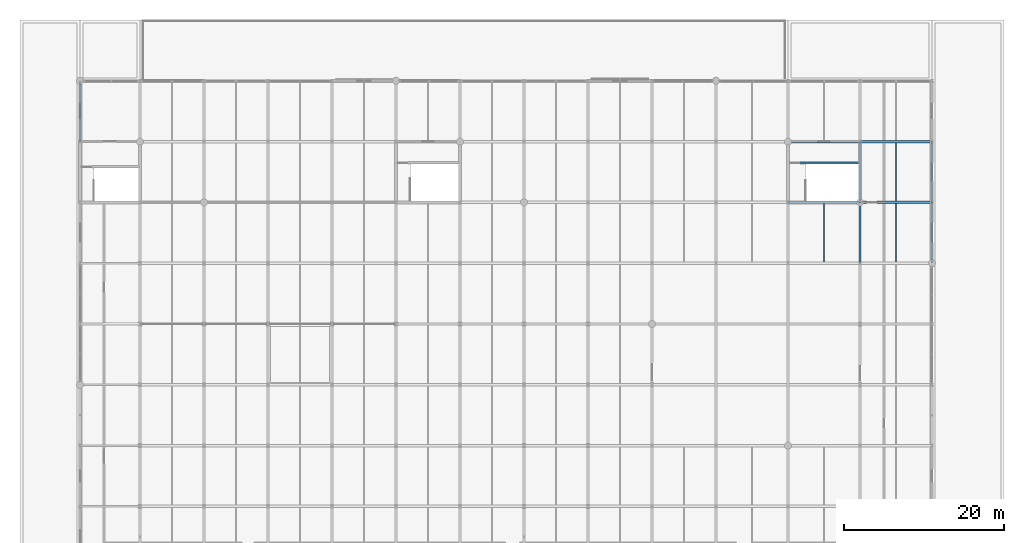
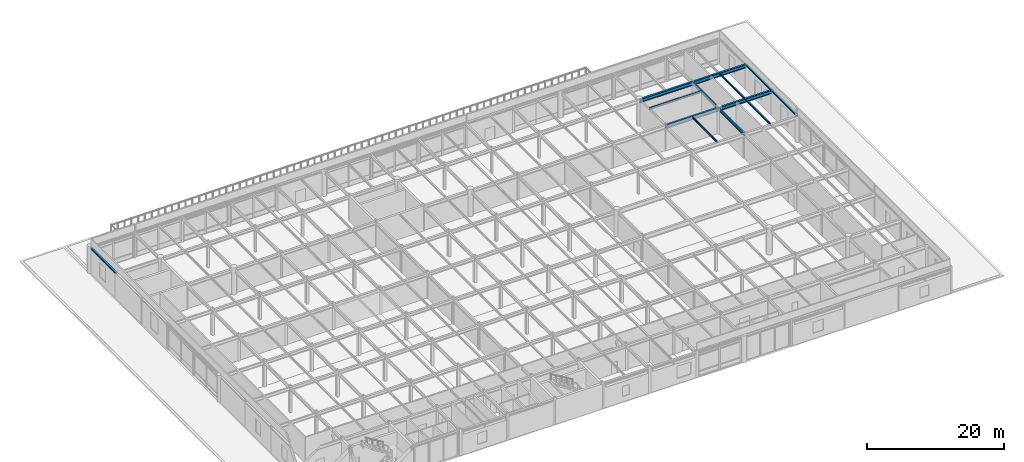
# One storey, part 22 of 43: 13 beams.
"""IFC4 building model written with IfcOpenShell, lengths in metres."""

from ifc_helpers import new_model, si_unit, direction, frame, origin, origin_2d, place, context, subcontext, project, spatial, i_section, extrude, material, material_profile, profile_set, type_object, element, save


model = new_model("IFC4")

# Units and contexts
model_context = context("Model", 3, precision=1e-05, world=origin(), true_north=direction((0.0, 1.0)))
body_context = subcontext(model_context, "Body", "Model", "MODEL_VIEW")
ifc_project = project(units=[si_unit("LENGTHUNIT", "METRE"), si_unit("AREAUNIT", "SQUARE_METRE"), si_unit("VOLUMEUNIT", "CUBIC_METRE"), si_unit("PLANEANGLEUNIT", "RADIAN"), si_unit("MASSUNIT", "GRAM", prefix="KILO")], contexts=[model_context])

# Site, building, storey
site_placement = place(None, origin())
site = spatial("IfcSite", under=ifc_project, at=site_placement, CompositionType="ELEMENT")
building_placement = place(site_placement, origin())
building = spatial("IfcBuilding", under=site, at=building_placement, Name="Shalkamar Park Central Library", CompositionType="ELEMENT")
storey_placement = place(building_placement, frame((0.0, 0.0, 15.60009765625)))
storey = spatial("IfcBuildingStorey", under=building, at=storey_placement, Name="L04", CompositionType="ELEMENT", Elevation=15.60009765625)

# Beams
ifc_material = material(Name="Steel S355", Category="steel")
ifc_material_profile_1 = material_profile(ifc_material, i_section(OverallWidth=0.14990234375, OverallDepth=0.300048828125, WebThickness=0.007080078125, FlangeThickness=0.0107421875, FilletRadius=0.014892578125, at=origin_2d()), Name="IPE 300")
ifc_profile_set_1 = profile_set([ifc_material_profile_1], Name="Steel S355")
beam_type_1 = type_object("IfcBeamType", Name="Composite Floor Joist IPE300", PredefinedType="JOIST", material=ifc_profile_set_1)
beam_1_placement = place(storey_placement, frame((259.5, 300.947998046875, 4.39990234375), z_axis=(0.0, 1.0, 0.0), x_axis=(-1.0, 0.0, 0.0)))
element("IfcBeam", 1, at=beam_1_placement, inside=storey, type_object=beam_type_1, Name="Composite Joist 18/J-1 (L04)", PredefinedType="JOIST", context=body_context, shape_type="SweptSolid", body=[
    extrude(i_section(OverallWidth=0.14990234375, OverallDepth=0.300048828125, WebThickness=0.007080078125, FlangeThickness=0.0107421875, FilletRadius=0.014892578125, at=origin_2d()), origin(), (0.0, 0.0, 1.0), 7.303955078125),
])
ifc_material_profile_2 = material_profile(ifc_material, i_section(OverallWidth=0.159912109375, OverallDepth=0.330078125, WebThickness=0.007568359375, FlangeThickness=0.011474609375, FilletRadius=0.01806640625, at=origin_2d()), Name="IPE 330")
ifc_profile_set_2 = profile_set([ifc_material_profile_2], Name="Steel S355")
beam_type_2 = type_object("IfcBeamType", Name="Composite Floor Joist IPE330", PredefinedType="JOIST", material=ifc_profile_set_2)
for number, where, z_axis, x_axis, name in (
    (2, (250.5, 293.347900390625, 4.385009765625), (0.0, 1.0, 0.0), (-1.0, 0.0, 0.0), "Composite Joist 17/H-1 (L04)"),
    (3, (259.5, 293.347900390625, 4.385009765625), (0.0, 1.0, 0.0), (-1.0, 0.0, 0.0), "Composite Joist 18/H-1 (L04)"),
):
    element("IfcBeam", number, at=place(storey_placement, frame(where, z_axis=z_axis, x_axis=x_axis)), inside=storey, type_object=beam_type_2, Name=name, PredefinedType="JOIST", context=body_context, shape_type="SweptSolid", body=[
        extrude(i_section(OverallWidth=0.159912109375, OverallDepth=0.330078125, WebThickness=0.007568359375, FlangeThickness=0.011474609375, FilletRadius=0.01806640625, at=origin_2d()), origin(), (0.0, 0.0, 1.0), 7.30419921875),
    ])
ifc_material_profile_3 = material_profile(ifc_material, i_section(OverallWidth=0.280029296875, OverallDepth=0.27001953125, WebThickness=0.008056640625, FlangeThickness=0.012939453125, FilletRadius=0.02392578125, at=origin_2d()), Name="HEA 280")
ifc_profile_set_3 = profile_set([ifc_material_profile_3], Name="Steel S355")
beam_type_3 = type_object("IfcBeamType", Name="Perimeter Spandrel Beam HEA280", PredefinedType="SPANDREL", material=ifc_profile_set_3)
for number, where, z_axis, x_axis, name in (
    (4, (157.5, 308.39990234375, 4.414794921875), (0.0, 1.0, 0.0), (-1.0, 0.0, 0.0), "Beam 06:K-L (L04)"),
    (5, (264.0, 293.199951171875, 4.414794921875), (0.0, 1.0, 0.0), (-1.0, 0.0, 0.0), "Beam 19:H-J (L04)"),
):
    element("IfcBeam", number, at=place(storey_placement, frame(where, z_axis=z_axis, x_axis=x_axis)), inside=storey, type_object=beam_type_3, Name=name, PredefinedType="SPANDREL", context=body_context, shape_type="SweptSolid", body=[
        extrude(i_section(OverallWidth=0.280029296875, OverallDepth=0.27001953125, WebThickness=0.008056640625, FlangeThickness=0.012939453125, FilletRadius=0.02392578125, at=origin_2d()), origin(), (0.0, 0.0, 1.0), 7.60009765625),
    ])
beam_2_placement = place(storey_placement, frame((264.0, 300.800048828125, 4.414794921875), z_axis=(0.0, 1.0, 0.0), x_axis=(-1.0, 0.0, 0.0)))
element("IfcBeam", 6, at=beam_2_placement, inside=storey, type_object=beam_type_3, Name="Beam 19:J-K (L04)", PredefinedType="SPANDREL", context=body_context, shape_type="SweptSolid", body=[
    extrude(i_section(OverallWidth=0.280029296875, OverallDepth=0.27001953125, WebThickness=0.008056640625, FlangeThickness=0.012939453125, FilletRadius=0.02392578125, at=origin_2d()), origin(), (0.0, 0.0, 1.0), 7.599853515625),
])
ifc_material_profile_4 = material_profile(ifc_material, i_section(OverallWidth=0.300048828125, OverallDepth=0.64990234375, WebThickness=0.01611328125, FlangeThickness=0.031005859375, FilletRadius=0.027099609375, at=origin_2d()), Name="HEB 650")
ifc_profile_set_4 = profile_set([ifc_material_profile_4], Name="Steel S355")
beam_type_4 = type_object("IfcBeamType", Name="Primary Girder HEB650", PredefinedType="BEAM", material=ifc_profile_set_4)
for number, where, z_axis, x_axis, name in (
    (7, (246.0, 300.800048828125, 4.224853515625), (1.0, 0.0, 0.0), (0.0, 1.0, 0.0), "Beam J:17-18 (L04)"),
    (8, (255.0, 300.800048828125, 4.224853515625), (1.0, 0.0, 0.0), (0.0, 1.0, 0.0), "Beam J:18-19 (L04)"),
    (9, (246.0, 308.39990234375, 4.224853515625), (1.0, 0.0, 0.0), (0.0, 1.0, 0.0), "Beam K:17-18 (L04)"),
    (10, (255.0, 308.39990234375, 4.224853515625), (1.0, 0.0, 0.0), (0.0, 1.0, 0.0), "Beam K:18-19 (L04)"),
):
    element("IfcBeam", number, at=place(storey_placement, frame(where, z_axis=z_axis, x_axis=x_axis)), inside=storey, type_object=beam_type_4, Name=name, PredefinedType="BEAM", context=body_context, shape_type="SweptSolid", body=[
        extrude(i_section(OverallWidth=0.300048828125, OverallDepth=0.64990234375, WebThickness=0.01611328125, FlangeThickness=0.031005859375, FilletRadius=0.027099609375, at=origin_2d()), origin(), (0.0, 0.0, 1.0), 9.0),
    ])
ifc_material_profile_5 = material_profile(ifc_material, i_section(OverallWidth=0.169921875, OverallDepth=0.360107421875, WebThickness=0.008056640625, FlangeThickness=0.0126953125, FilletRadius=0.01806640625, at=origin_2d()), Name="IPE 360")
ifc_profile_set_5 = profile_set([ifc_material_profile_5], Name="Steel S355")
beam_type_5 = type_object("IfcBeamType", Name="Primary Girder IPE360", PredefinedType="BEAM", material=ifc_profile_set_5)
beam_3_placement = place(storey_placement, frame((246.087890625, 305.75, 4.369873046875), z_axis=(1.0, 0.0, 0.0), x_axis=(0.0, 1.0, 0.0)))
element("IfcBeam", 11, at=beam_3_placement, inside=storey, type_object=beam_type_5, Name="CORE-P4 Stairwell Divider Beam (L04)", PredefinedType="BEAM", context=body_context, shape_type="SweptSolid", body=[
    extrude(i_section(OverallWidth=0.169921875, OverallDepth=0.360107421875, WebThickness=0.008056640625, FlangeThickness=0.0126953125, FilletRadius=0.01806640625, at=origin_2d()), origin(), (0.0, 0.0, 1.0), 8.82421875),
])
ifc_material_profile_6 = material_profile(ifc_material, i_section(OverallWidth=0.2099609375, OverallDepth=0.550048828125, WebThickness=0.010986328125, FlangeThickness=0.01708984375, FilletRadius=0.02392578125, at=origin_2d()), Name="IPE 550")
ifc_profile_set_6 = profile_set([ifc_material_profile_6], Name="Steel S355")
beam_type_6 = type_object("IfcBeamType", Name="Primary Girder IPE550", PredefinedType="BEAM", material=ifc_profile_set_6)
beam_4_placement = place(storey_placement, frame((255.0, 293.199951171875, 4.27490234375), z_axis=(0.0, 1.0, 0.0), x_axis=(-1.0, 0.0, 0.0)))
element("IfcBeam", 12, at=beam_4_placement, inside=storey, type_object=beam_type_6, Name="Beam 18:H-J (L04)", PredefinedType="BEAM", context=body_context, shape_type="SweptSolid", body=[
    extrude(i_section(OverallWidth=0.2099609375, OverallDepth=0.550048828125, WebThickness=0.010986328125, FlangeThickness=0.01708984375, FilletRadius=0.02392578125, at=origin_2d()), origin(), (0.0, 0.0, 1.0), 7.60009765625),
])
beam_5_placement = place(storey_placement, frame((255.0, 300.800048828125, 4.27490234375), z_axis=(0.0, 1.0, 0.0), x_axis=(-1.0, 0.0, 0.0)))
element("IfcBeam", 13, at=beam_5_placement, inside=storey, type_object=beam_type_6, Name="Beam 18:J-K (L04)", PredefinedType="BEAM", context=body_context, shape_type="SweptSolid", body=[
    extrude(i_section(OverallWidth=0.2099609375, OverallDepth=0.550048828125, WebThickness=0.010986328125, FlangeThickness=0.01708984375, FilletRadius=0.02392578125, at=origin_2d()), origin(), (0.0, 0.0, 1.0), 7.599853515625),
])

save(model, "model.ifc")
